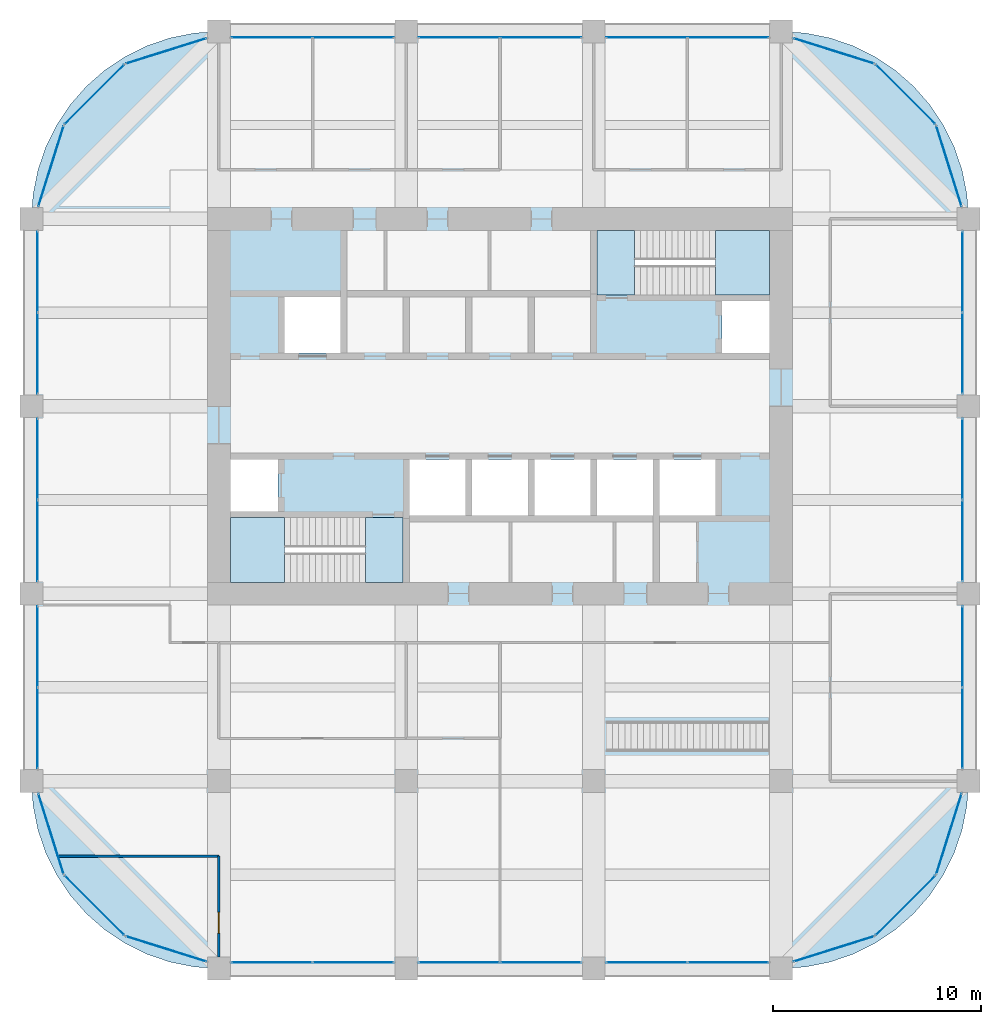
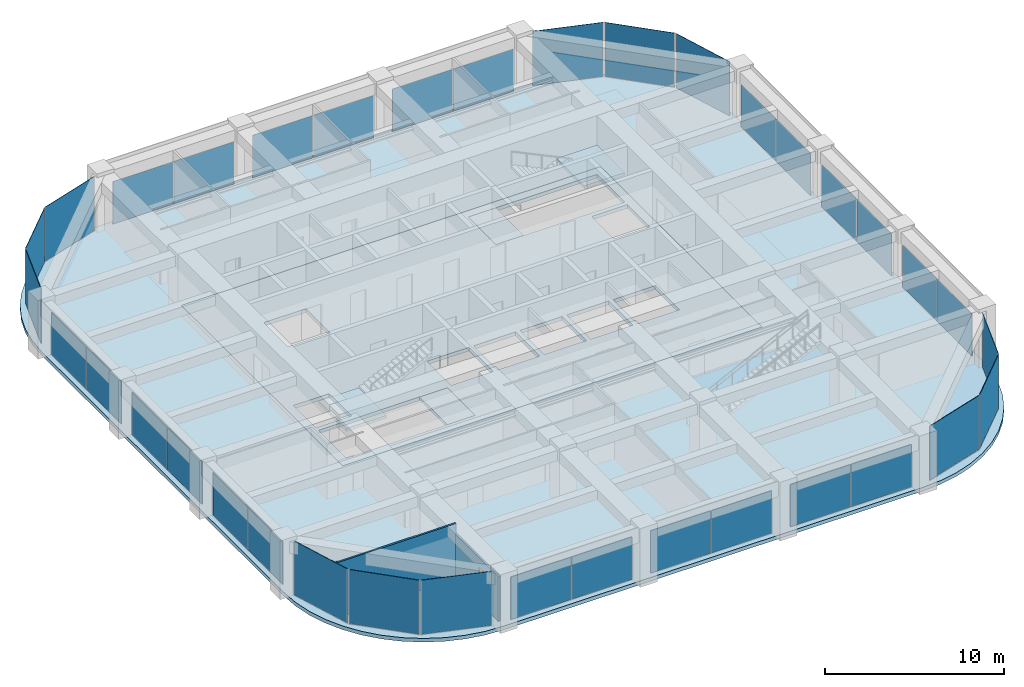
# One storey, part 40 of 44: 36 plates, 6 slabs, 2 walls, 1 door, 1 opening, 26 elements without a shape of their own.
"""IFC4 building model written with IfcOpenShell, lengths in metres."""

from ifc_helpers import new_model, si_unit, direction, frame, frame_2d, origin, origin_2d, place, context, subcontext, project, spatial, polyline, rectangle, outline, extrude, material, layer, layer_set, type_object, element, fill, aggregate, save


model = new_model("IFC4")

# Units and contexts
model_context = context("Model", 3, precision=1e-05, world=origin(), true_north=direction((0.0, 1.0)))
body_context = subcontext(model_context, "Body", "Model", "MODEL_VIEW")
ifc_project = project(units=[si_unit("LENGTHUNIT", "METRE"), si_unit("AREAUNIT", "SQUARE_METRE"), si_unit("VOLUMEUNIT", "CUBIC_METRE"), si_unit("PLANEANGLEUNIT", "RADIAN"), si_unit("MASSUNIT", "GRAM", prefix="KILO")], contexts=[model_context])

# Site, building, storey
site_placement = place(None, origin())
site = spatial("IfcSite", under=ifc_project, at=site_placement, CompositionType="ELEMENT")
building_placement = place(site_placement, origin())
building = spatial("IfcBuilding", under=site, at=building_placement, Name="Zorevar Civic Tower", CompositionType="ELEMENT")
storey_placement = place(building_placement, frame((0.0, 0.0, 251.39990234375)))
storey = spatial("IfcBuildingStorey", under=building, at=storey_placement, Name="L61", CompositionType="ELEMENT", Elevation=251.39990234375)

# Curtain wall, plates
ifc_material_1 = material(Name="Dark grey solar-control glass in black aluminium frame", Category="aluminium")
curtain_wall_type = type_object("IfcCurtainWallType", Name="Curtain wall CW5 top zone", PredefinedType="NOTDEFINED", material=ifc_material_1)
curtain_wall_1_placement = place(storey_placement, origin())
curtain_wall_1 = element("IfcCurtainWall", 1, at=curtain_wall_1_placement, inside=storey, type_object=curtain_wall_type, Name="CW5 L61", PredefinedType="NOTDEFINED")
ifc_material_2 = material(Name="Dark grey solar-control glass", Category="glass")
ifc_layer_1 = layer(ifc_material_2, 0.028076171875)
ifc_layer_set_1 = layer_set([ifc_layer_1], Name="CW5 panel 28")
plate_type = type_object("IfcPlateType", Name="CW5 panel 28", PredefinedType="CURTAIN_PANEL", material=ifc_layer_set_1)
plate_1_placement = place(storey_placement, frame((20.5400390625, 0.300048828125, 0.06005859375), z_axis=(0.0, 0.0, 1.0), x_axis=(1.0, 0.0, 0.0)))
plate_1 = element("IfcPlate", 2, at=plate_1_placement, type_object=plate_type, Name="CW5 panel 1.1", PredefinedType="CURTAIN_PANEL", context=body_context, shape_type="SweptSolid", body=[
    extrude(rectangle(XDim=3.860107421875, YDim=0.028076171875, at=origin_2d()), origin(), (0.0, 0.0, 1.0), 2.889892578125),
])
plate_2_placement = place(storey_placement, frame((24.4599609375, 0.300048828125, 0.06005859375), z_axis=(0.0, 0.0, 1.0), x_axis=(1.0, 0.0, 0.0)))
plate_2 = element("IfcPlate", 3, at=plate_2_placement, type_object=plate_type, Name="CW5 panel 2.1", PredefinedType="CURTAIN_PANEL", context=body_context, shape_type="SweptSolid", body=[
    extrude(rectangle(XDim=3.860107421875, YDim=0.028076171875, at=origin_2d()), origin(), (0.0, 0.0, 1.0), 2.889892578125),
])
aggregate(curtain_wall_1, [plate_1, plate_2])

curtain_wall_2_placement = place(storey_placement, origin())
curtain_wall_2 = element("IfcCurtainWall", 4, at=curtain_wall_2_placement, inside=storey, type_object=curtain_wall_type, Name="CW5 L61", PredefinedType="NOTDEFINED")
plate_3_placement = place(storey_placement, frame((20.5400390625, 44.699951171875, 0.06005859375), z_axis=(0.0, 0.0, 1.0), x_axis=(1.0, 0.0, 0.0)))
plate_3 = element("IfcPlate", 5, at=plate_3_placement, type_object=plate_type, Name="CW5 panel 1.1", PredefinedType="CURTAIN_PANEL", context=body_context, shape_type="SweptSolid", body=[
    extrude(rectangle(XDim=3.860107421875, YDim=0.028076171875, at=origin_2d()), origin(), (0.0, 0.0, 1.0), 2.889892578125),
])
plate_4_placement = place(storey_placement, frame((24.4599609375, 44.699951171875, 0.06005859375), z_axis=(0.0, 0.0, 1.0), x_axis=(1.0, 0.0, 0.0)))
plate_4 = element("IfcPlate", 6, at=plate_4_placement, type_object=plate_type, Name="CW5 panel 2.1", PredefinedType="CURTAIN_PANEL", context=body_context, shape_type="SweptSolid", body=[
    extrude(rectangle(XDim=3.860107421875, YDim=0.028076171875, at=origin_2d()), origin(), (0.0, 0.0, 1.0), 2.889892578125),
])
aggregate(curtain_wall_2, [plate_3, plate_4])

curtain_wall_3_placement = place(storey_placement, origin())
curtain_wall_3 = element("IfcCurtainWall", 7, at=curtain_wall_3_placement, inside=storey, type_object=curtain_wall_type, Name="CW5 L61", PredefinedType="NOTDEFINED")
plate_5_placement = place(storey_placement, frame((29.5400390625, 0.300048828125, 0.06005859375), z_axis=(0.0, 0.0, 1.0), x_axis=(1.0, 0.0, 0.0)))
plate_5 = element("IfcPlate", 8, at=plate_5_placement, type_object=plate_type, Name="CW5 panel 1.1", PredefinedType="CURTAIN_PANEL", context=body_context, shape_type="SweptSolid", body=[
    extrude(rectangle(XDim=3.860107421875, YDim=0.028076171875, at=origin_2d()), origin(), (0.0, 0.0, 1.0), 2.889892578125),
])
plate_6_placement = place(storey_placement, frame((33.4599609375, 0.300048828125, 0.06005859375), z_axis=(0.0, 0.0, 1.0), x_axis=(1.0, 0.0, 0.0)))
plate_6 = element("IfcPlate", 9, at=plate_6_placement, type_object=plate_type, Name="CW5 panel 2.1", PredefinedType="CURTAIN_PANEL", context=body_context, shape_type="SweptSolid", body=[
    extrude(rectangle(XDim=3.860107421875, YDim=0.028076171875, at=origin_2d()), origin(), (0.0, 0.0, 1.0), 2.889892578125),
])
aggregate(curtain_wall_3, [plate_5, plate_6])

curtain_wall_4_placement = place(storey_placement, origin())
curtain_wall_4 = element("IfcCurtainWall", 10, at=curtain_wall_4_placement, inside=storey, type_object=curtain_wall_type, Name="CW5 L61", PredefinedType="NOTDEFINED")
plate_7_placement = place(storey_placement, frame((29.5400390625, 44.699951171875, 0.06005859375), z_axis=(0.0, 0.0, 1.0), x_axis=(1.0, 0.0, 0.0)))
plate_7 = element("IfcPlate", 11, at=plate_7_placement, type_object=plate_type, Name="CW5 panel 1.1", PredefinedType="CURTAIN_PANEL", context=body_context, shape_type="SweptSolid", body=[
    extrude(rectangle(XDim=3.860107421875, YDim=0.028076171875, at=origin_2d()), origin(), (0.0, 0.0, 1.0), 2.889892578125),
])
plate_8_placement = place(storey_placement, frame((33.4599609375, 44.699951171875, 0.06005859375), z_axis=(0.0, 0.0, 1.0), x_axis=(1.0, 0.0, 0.0)))
plate_8 = element("IfcPlate", 12, at=plate_8_placement, type_object=plate_type, Name="CW5 panel 2.1", PredefinedType="CURTAIN_PANEL", context=body_context, shape_type="SweptSolid", body=[
    extrude(rectangle(XDim=3.860107421875, YDim=0.028076171875, at=origin_2d()), origin(), (0.0, 0.0, 1.0), 2.889892578125),
])
aggregate(curtain_wall_4, [plate_7, plate_8])

curtain_wall_5_placement = place(storey_placement, origin())
curtain_wall_5 = element("IfcCurtainWall", 13, at=curtain_wall_5_placement, inside=storey, type_object=curtain_wall_type, Name="CW5 L61", PredefinedType="NOTDEFINED")
plate_9_placement = place(storey_placement, frame((38.5400390625, 0.300048828125, 0.06005859375), z_axis=(0.0, 0.0, 1.0), x_axis=(1.0, 0.0, 0.0)))
plate_9 = element("IfcPlate", 14, at=plate_9_placement, type_object=plate_type, Name="CW5 panel 1.1", PredefinedType="CURTAIN_PANEL", context=body_context, shape_type="SweptSolid", body=[
    extrude(rectangle(XDim=3.860107421875, YDim=0.028076171875, at=origin_2d()), origin(), (0.0, 0.0, 1.0), 2.889892578125),
])
plate_10_placement = place(storey_placement, frame((42.4599609375, 0.300048828125, 0.06005859375), z_axis=(0.0, 0.0, 1.0), x_axis=(1.0, 0.0, 0.0)))
plate_10 = element("IfcPlate", 15, at=plate_10_placement, type_object=plate_type, Name="CW5 panel 2.1", PredefinedType="CURTAIN_PANEL", context=body_context, shape_type="SweptSolid", body=[
    extrude(rectangle(XDim=3.860107421875, YDim=0.028076171875, at=origin_2d()), origin(), (0.0, 0.0, 1.0), 2.889892578125),
])
aggregate(curtain_wall_5, [plate_9, plate_10])

curtain_wall_6_placement = place(storey_placement, origin())
curtain_wall_6 = element("IfcCurtainWall", 16, at=curtain_wall_6_placement, inside=storey, type_object=curtain_wall_type, Name="CW5 L61", PredefinedType="NOTDEFINED")
plate_11_placement = place(storey_placement, frame((38.5400390625, 44.699951171875, 0.06005859375), z_axis=(0.0, 0.0, 1.0), x_axis=(1.0, 0.0, 0.0)))
plate_11 = element("IfcPlate", 17, at=plate_11_placement, type_object=plate_type, Name="CW5 panel 1.1", PredefinedType="CURTAIN_PANEL", context=body_context, shape_type="SweptSolid", body=[
    extrude(rectangle(XDim=3.860107421875, YDim=0.028076171875, at=origin_2d()), origin(), (0.0, 0.0, 1.0), 2.889892578125),
])
plate_12_placement = place(storey_placement, frame((42.4599609375, 44.699951171875, 0.06005859375), z_axis=(0.0, 0.0, 1.0), x_axis=(1.0, 0.0, 0.0)))
plate_12 = element("IfcPlate", 18, at=plate_12_placement, type_object=plate_type, Name="CW5 panel 2.1", PredefinedType="CURTAIN_PANEL", context=body_context, shape_type="SweptSolid", body=[
    extrude(rectangle(XDim=3.860107421875, YDim=0.028076171875, at=origin_2d()), origin(), (0.0, 0.0, 1.0), 2.889892578125),
])
aggregate(curtain_wall_6, [plate_11, plate_12])

curtain_wall_7_placement = place(storey_placement, origin())
curtain_wall_7 = element("IfcCurtainWall", 19, at=curtain_wall_7_placement, inside=storey, type_object=curtain_wall_type, Name="CW5 L61", PredefinedType="NOTDEFINED")
plate_13_placement = place(storey_placement, frame((9.300048828125, 11.5400390625, 0.06005859375), z_axis=(0.0, 0.0, 1.0), x_axis=(0.0, 1.0, 0.0)))
plate_13 = element("IfcPlate", 20, at=plate_13_placement, type_object=plate_type, Name="CW5 panel 1.1", PredefinedType="CURTAIN_PANEL", context=body_context, shape_type="SweptSolid", body=[
    extrude(rectangle(XDim=3.860107421875, YDim=0.028076171875, at=origin_2d()), origin(), (0.0, 0.0, 1.0), 2.889892578125),
])
plate_14_placement = place(storey_placement, frame((9.300048828125, 15.4599609375, 0.06005859375), z_axis=(0.0, 0.0, 1.0), x_axis=(0.0, 1.0, 0.0)))
plate_14 = element("IfcPlate", 21, at=plate_14_placement, type_object=plate_type, Name="CW5 panel 2.1", PredefinedType="CURTAIN_PANEL", context=body_context, shape_type="SweptSolid", body=[
    extrude(rectangle(XDim=3.860107421875, YDim=0.028076171875, at=origin_2d()), origin(), (0.0, 0.0, 1.0), 2.889892578125),
])
aggregate(curtain_wall_7, [plate_13, plate_14])

curtain_wall_8_placement = place(storey_placement, origin())
curtain_wall_8 = element("IfcCurtainWall", 22, at=curtain_wall_8_placement, inside=storey, type_object=curtain_wall_type, Name="CW5 L61", PredefinedType="NOTDEFINED")
plate_15_placement = place(storey_placement, frame((53.699951171875, 11.5400390625, 0.06005859375), z_axis=(0.0, 0.0, 1.0), x_axis=(0.0, 1.0, 0.0)))
plate_15 = element("IfcPlate", 23, at=plate_15_placement, type_object=plate_type, Name="CW5 panel 1.1", PredefinedType="CURTAIN_PANEL", context=body_context, shape_type="SweptSolid", body=[
    extrude(rectangle(XDim=3.860107421875, YDim=0.028076171875, at=origin_2d()), origin(), (0.0, 0.0, 1.0), 2.889892578125),
])
plate_16_placement = place(storey_placement, frame((53.699951171875, 15.4599609375, 0.06005859375), z_axis=(0.0, 0.0, 1.0), x_axis=(0.0, 1.0, 0.0)))
plate_16 = element("IfcPlate", 24, at=plate_16_placement, type_object=plate_type, Name="CW5 panel 2.1", PredefinedType="CURTAIN_PANEL", context=body_context, shape_type="SweptSolid", body=[
    extrude(rectangle(XDim=3.860107421875, YDim=0.028076171875, at=origin_2d()), origin(), (0.0, 0.0, 1.0), 2.889892578125),
])
aggregate(curtain_wall_8, [plate_15, plate_16])

curtain_wall_9_placement = place(storey_placement, origin())
curtain_wall_9 = element("IfcCurtainWall", 25, at=curtain_wall_9_placement, inside=storey, type_object=curtain_wall_type, Name="CW5 L61", PredefinedType="NOTDEFINED")
plate_17_placement = place(storey_placement, frame((9.300048828125, 20.5400390625, 0.06005859375), z_axis=(0.0, 0.0, 1.0), x_axis=(0.0, 1.0, 0.0)))
plate_17 = element("IfcPlate", 26, at=plate_17_placement, type_object=plate_type, Name="CW5 panel 1.1", PredefinedType="CURTAIN_PANEL", context=body_context, shape_type="SweptSolid", body=[
    extrude(rectangle(XDim=3.860107421875, YDim=0.028076171875, at=origin_2d()), origin(), (0.0, 0.0, 1.0), 2.889892578125),
])
plate_18_placement = place(storey_placement, frame((9.300048828125, 24.4599609375, 0.06005859375), z_axis=(0.0, 0.0, 1.0), x_axis=(0.0, 1.0, 0.0)))
plate_18 = element("IfcPlate", 27, at=plate_18_placement, type_object=plate_type, Name="CW5 panel 2.1", PredefinedType="CURTAIN_PANEL", context=body_context, shape_type="SweptSolid", body=[
    extrude(rectangle(XDim=3.860107421875, YDim=0.028076171875, at=origin_2d()), origin(), (0.0, 0.0, 1.0), 2.889892578125),
])
aggregate(curtain_wall_9, [plate_17, plate_18])

curtain_wall_10_placement = place(storey_placement, origin())
curtain_wall_10 = element("IfcCurtainWall", 28, at=curtain_wall_10_placement, inside=storey, type_object=curtain_wall_type, Name="CW5 L61", PredefinedType="NOTDEFINED")
plate_19_placement = place(storey_placement, frame((53.699951171875, 20.5400390625, 0.06005859375), z_axis=(0.0, 0.0, 1.0), x_axis=(0.0, 1.0, 0.0)))
plate_19 = element("IfcPlate", 29, at=plate_19_placement, type_object=plate_type, Name="CW5 panel 1.1", PredefinedType="CURTAIN_PANEL", context=body_context, shape_type="SweptSolid", body=[
    extrude(rectangle(XDim=3.860107421875, YDim=0.028076171875, at=origin_2d()), origin(), (0.0, 0.0, 1.0), 2.889892578125),
])
plate_20_placement = place(storey_placement, frame((53.699951171875, 24.4599609375, 0.06005859375), z_axis=(0.0, 0.0, 1.0), x_axis=(0.0, 1.0, 0.0)))
plate_20 = element("IfcPlate", 30, at=plate_20_placement, type_object=plate_type, Name="CW5 panel 2.1", PredefinedType="CURTAIN_PANEL", context=body_context, shape_type="SweptSolid", body=[
    extrude(rectangle(XDim=3.860107421875, YDim=0.028076171875, at=origin_2d()), origin(), (0.0, 0.0, 1.0), 2.889892578125),
])
aggregate(curtain_wall_10, [plate_19, plate_20])

curtain_wall_11_placement = place(storey_placement, origin())
curtain_wall_11 = element("IfcCurtainWall", 31, at=curtain_wall_11_placement, inside=storey, type_object=curtain_wall_type, Name="CW5 L61", PredefinedType="NOTDEFINED")
plate_21_placement = place(storey_placement, frame((9.300048828125, 29.5400390625, 0.06005859375), z_axis=(0.0, 0.0, 1.0), x_axis=(0.0, 1.0, 0.0)))
plate_21 = element("IfcPlate", 32, at=plate_21_placement, type_object=plate_type, Name="CW5 panel 1.1", PredefinedType="CURTAIN_PANEL", context=body_context, shape_type="SweptSolid", body=[
    extrude(rectangle(XDim=3.860107421875, YDim=0.028076171875, at=origin_2d()), origin(), (0.0, 0.0, 1.0), 2.889892578125),
])
plate_22_placement = place(storey_placement, frame((9.300048828125, 33.4599609375, 0.06005859375), z_axis=(0.0, 0.0, 1.0), x_axis=(0.0, 1.0, 0.0)))
plate_22 = element("IfcPlate", 33, at=plate_22_placement, type_object=plate_type, Name="CW5 panel 2.1", PredefinedType="CURTAIN_PANEL", context=body_context, shape_type="SweptSolid", body=[
    extrude(rectangle(XDim=3.860107421875, YDim=0.028076171875, at=origin_2d()), origin(), (0.0, 0.0, 1.0), 2.889892578125),
])
aggregate(curtain_wall_11, [plate_21, plate_22])

curtain_wall_12_placement = place(storey_placement, origin())
curtain_wall_12 = element("IfcCurtainWall", 34, at=curtain_wall_12_placement, inside=storey, type_object=curtain_wall_type, Name="CW5 L61", PredefinedType="NOTDEFINED")
plate_23_placement = place(storey_placement, frame((53.699951171875, 29.5400390625, 0.06005859375), z_axis=(0.0, 0.0, 1.0), x_axis=(0.0, 1.0, 0.0)))
plate_23 = element("IfcPlate", 35, at=plate_23_placement, type_object=plate_type, Name="CW5 panel 1.1", PredefinedType="CURTAIN_PANEL", context=body_context, shape_type="SweptSolid", body=[
    extrude(rectangle(XDim=3.860107421875, YDim=0.028076171875, at=origin_2d()), origin(), (0.0, 0.0, 1.0), 2.889892578125),
])
plate_24_placement = place(storey_placement, frame((53.699951171875, 33.4599609375, 0.06005859375), z_axis=(0.0, 0.0, 1.0), x_axis=(0.0, 1.0, 0.0)))
plate_24 = element("IfcPlate", 36, at=plate_24_placement, type_object=plate_type, Name="CW5 panel 2.1", PredefinedType="CURTAIN_PANEL", context=body_context, shape_type="SweptSolid", body=[
    extrude(rectangle(XDim=3.860107421875, YDim=0.028076171875, at=origin_2d()), origin(), (0.0, 0.0, 1.0), 2.889892578125),
])
aggregate(curtain_wall_12, [plate_23, plate_24])

# Curtain wall, plate
curtain_wall_13_placement = place(storey_placement, origin())
curtain_wall_13 = element("IfcCurtainWall", 37, at=curtain_wall_13_placement, inside=storey, type_object=curtain_wall_type, Name="CW5 L61", PredefinedType="NOTDEFINED")
plate_25_placement = place(storey_placement, frame((47.52880859375, 0.938232421875, 0.06005859375), z_axis=(0.0, 0.0, 1.0), x_axis=(0.954153437674, 0.299317920238, 0.0)))
plate_25 = element("IfcPlate", 38, at=plate_25_placement, type_object=plate_type, Name="CW5 panel 1.1", PredefinedType="CURTAIN_PANEL", context=body_context, shape_type="SweptSolid", body=[
    extrude(rectangle(XDim=4.028076171875, YDim=0.028076171875, at=origin_2d()), origin(), (0.0, 0.0, 1.0), 3.68994140625),
])
aggregate(curtain_wall_13, [plate_25])

curtain_wall_14_placement = place(storey_placement, origin())
curtain_wall_14 = element("IfcCurtainWall", 39, at=curtain_wall_14_placement, inside=storey, type_object=curtain_wall_type, Name="CW5 L61", PredefinedType="NOTDEFINED")
plate_26_placement = place(storey_placement, frame((50.974365234375, 3.025634765625, 0.06005859375), z_axis=(0.0, 0.0, 1.0), x_axis=(0.707106781187, 0.707106781187, 0.0)))
plate_26 = element("IfcPlate", 40, at=plate_26_placement, type_object=plate_type, Name="CW5 panel 1.1", PredefinedType="CURTAIN_PANEL", context=body_context, shape_type="SweptSolid", body=[
    extrude(rectangle(XDim=4.028076171875, YDim=0.028076171875, at=origin_2d()), origin(), (0.0, 0.0, 1.0), 3.68994140625),
])
aggregate(curtain_wall_14, [plate_26])

curtain_wall_15_placement = place(storey_placement, origin())
curtain_wall_15 = element("IfcCurtainWall", 41, at=curtain_wall_15_placement, inside=storey, type_object=curtain_wall_type, Name="CW5 L61", PredefinedType="NOTDEFINED")
plate_27_placement = place(storey_placement, frame((53.061767578125, 6.47119140625, 0.06005859375), z_axis=(0.0, 0.0, 1.0), x_axis=(0.299317920238, 0.954153437674, 0.0)))
plate_27 = element("IfcPlate", 42, at=plate_27_placement, type_object=plate_type, Name="CW5 panel 1.1", PredefinedType="CURTAIN_PANEL", context=body_context, shape_type="SweptSolid", body=[
    extrude(rectangle(XDim=4.028076171875, YDim=0.028076171875, at=origin_2d()), origin(), (0.0, 0.0, 1.0), 3.68994140625),
])
aggregate(curtain_wall_15, [plate_27])

curtain_wall_16_placement = place(storey_placement, origin())
curtain_wall_16 = element("IfcCurtainWall", 43, at=curtain_wall_16_placement, inside=storey, type_object=curtain_wall_type, Name="CW5 L61", PredefinedType="NOTDEFINED")
plate_28_placement = place(storey_placement, frame((53.061767578125, 38.52880859375, 0.06005859375), z_axis=(0.0, 0.0, 1.0), x_axis=(-0.299317920238, 0.954153437674, 0.0)))
plate_28 = element("IfcPlate", 44, at=plate_28_placement, type_object=plate_type, Name="CW5 panel 1.1", PredefinedType="CURTAIN_PANEL", context=body_context, shape_type="SweptSolid", body=[
    extrude(rectangle(XDim=4.028076171875, YDim=0.028076171875, at=origin_2d()), origin(), (0.0, 0.0, 1.0), 3.68994140625),
])
aggregate(curtain_wall_16, [plate_28])

curtain_wall_17_placement = place(storey_placement, origin())
curtain_wall_17 = element("IfcCurtainWall", 45, at=curtain_wall_17_placement, inside=storey, type_object=curtain_wall_type, Name="CW5 L61", PredefinedType="NOTDEFINED")
plate_29_placement = place(storey_placement, frame((50.974365234375, 41.974365234375, 0.06005859375), z_axis=(0.0, 0.0, 1.0), x_axis=(-0.707106781187, 0.707106781187, 0.0)))
plate_29 = element("IfcPlate", 46, at=plate_29_placement, type_object=plate_type, Name="CW5 panel 1.1", PredefinedType="CURTAIN_PANEL", context=body_context, shape_type="SweptSolid", body=[
    extrude(rectangle(XDim=4.028076171875, YDim=0.028076171875, at=origin_2d()), origin(), (0.0, 0.0, 1.0), 3.68994140625),
])
aggregate(curtain_wall_17, [plate_29])

curtain_wall_18_placement = place(storey_placement, origin())
curtain_wall_18 = element("IfcCurtainWall", 47, at=curtain_wall_18_placement, inside=storey, type_object=curtain_wall_type, Name="CW5 L61", PredefinedType="NOTDEFINED")
plate_30_placement = place(storey_placement, frame((47.52880859375, 44.061767578125, 0.06005859375), z_axis=(0.0, 0.0, 1.0), x_axis=(-0.954153437674, 0.299317920238, 0.0)))
plate_30 = element("IfcPlate", 48, at=plate_30_placement, type_object=plate_type, Name="CW5 panel 1.1", PredefinedType="CURTAIN_PANEL", context=body_context, shape_type="SweptSolid", body=[
    extrude(rectangle(XDim=4.028076171875, YDim=0.028076171875, at=origin_2d()), origin(), (0.0, 0.0, 1.0), 3.68994140625),
])
aggregate(curtain_wall_18, [plate_30])

curtain_wall_19_placement = place(storey_placement, origin())
curtain_wall_19 = element("IfcCurtainWall", 49, at=curtain_wall_19_placement, inside=storey, type_object=curtain_wall_type, Name="CW5 L61", PredefinedType="NOTDEFINED")
plate_31_placement = place(storey_placement, frame((15.47119140625, 44.061767578125, 0.06005859375), z_axis=(0.0, 0.0, 1.0), x_axis=(-0.954153437674, -0.299317920238, 0.0)))
plate_31 = element("IfcPlate", 50, at=plate_31_placement, type_object=plate_type, Name="CW5 panel 1.1", PredefinedType="CURTAIN_PANEL", context=body_context, shape_type="SweptSolid", body=[
    extrude(rectangle(XDim=4.028076171875, YDim=0.028076171875, at=origin_2d()), origin(), (0.0, 0.0, 1.0), 3.68994140625),
])
aggregate(curtain_wall_19, [plate_31])

curtain_wall_20_placement = place(storey_placement, origin())
curtain_wall_20 = element("IfcCurtainWall", 51, at=curtain_wall_20_placement, inside=storey, type_object=curtain_wall_type, Name="CW5 L61", PredefinedType="NOTDEFINED")
plate_32_placement = place(storey_placement, frame((12.025634765625, 41.974365234375, 0.06005859375), z_axis=(0.0, 0.0, 1.0), x_axis=(-0.707106781187, -0.707106781187, 0.0)))
plate_32 = element("IfcPlate", 52, at=plate_32_placement, type_object=plate_type, Name="CW5 panel 1.1", PredefinedType="CURTAIN_PANEL", context=body_context, shape_type="SweptSolid", body=[
    extrude(rectangle(XDim=4.028076171875, YDim=0.028076171875, at=origin_2d()), origin(), (0.0, 0.0, 1.0), 3.68994140625),
])
aggregate(curtain_wall_20, [plate_32])

curtain_wall_21_placement = place(storey_placement, origin())
curtain_wall_21 = element("IfcCurtainWall", 53, at=curtain_wall_21_placement, inside=storey, type_object=curtain_wall_type, Name="CW5 L61", PredefinedType="NOTDEFINED")
plate_33_placement = place(storey_placement, frame((9.938232421875, 38.52880859375, 0.06005859375), z_axis=(0.0, 0.0, 1.0), x_axis=(-0.299317920238, -0.954153437674, 0.0)))
plate_33 = element("IfcPlate", 54, at=plate_33_placement, type_object=plate_type, Name="CW5 panel 1.1", PredefinedType="CURTAIN_PANEL", context=body_context, shape_type="SweptSolid", body=[
    extrude(rectangle(XDim=4.028076171875, YDim=0.028076171875, at=origin_2d()), origin(), (0.0, 0.0, 1.0), 3.68994140625),
])
aggregate(curtain_wall_21, [plate_33])

curtain_wall_22_placement = place(storey_placement, origin())
curtain_wall_22 = element("IfcCurtainWall", 55, at=curtain_wall_22_placement, inside=storey, type_object=curtain_wall_type, Name="CW5 L61", PredefinedType="NOTDEFINED")
plate_34_placement = place(storey_placement, frame((9.938232421875, 6.47119140625, 0.06005859375), z_axis=(0.0, 0.0, 1.0), x_axis=(0.299317920238, -0.954153437674, 0.0)))
plate_34 = element("IfcPlate", 56, at=plate_34_placement, type_object=plate_type, Name="CW5 panel 1.1", PredefinedType="CURTAIN_PANEL", context=body_context, shape_type="SweptSolid", body=[
    extrude(rectangle(XDim=4.028076171875, YDim=0.028076171875, at=origin_2d()), origin(), (0.0, 0.0, 1.0), 3.68994140625),
])
aggregate(curtain_wall_22, [plate_34])

curtain_wall_23_placement = place(storey_placement, origin())
curtain_wall_23 = element("IfcCurtainWall", 57, at=curtain_wall_23_placement, inside=storey, type_object=curtain_wall_type, Name="CW5 L61", PredefinedType="NOTDEFINED")
plate_35_placement = place(storey_placement, frame((12.025634765625, 3.025634765625, 0.06005859375), z_axis=(0.0, 0.0, 1.0), x_axis=(0.707106781187, -0.707106781187, 0.0)))
plate_35 = element("IfcPlate", 58, at=plate_35_placement, type_object=plate_type, Name="CW5 panel 1.1", PredefinedType="CURTAIN_PANEL", context=body_context, shape_type="SweptSolid", body=[
    extrude(rectangle(XDim=4.028076171875, YDim=0.028076171875, at=origin_2d()), origin(), (0.0, 0.0, 1.0), 3.68994140625),
])
aggregate(curtain_wall_23, [plate_35])

curtain_wall_24_placement = place(storey_placement, origin())
curtain_wall_24 = element("IfcCurtainWall", 59, at=curtain_wall_24_placement, inside=storey, type_object=curtain_wall_type, Name="CW5 L61", PredefinedType="NOTDEFINED")
plate_36_placement = place(storey_placement, frame((15.47119140625, 0.938232421875, 0.06005859375), z_axis=(0.0, 0.0, 1.0), x_axis=(0.954153437674, -0.299317920238, 0.0)))
plate_36 = element("IfcPlate", 60, at=plate_36_placement, type_object=plate_type, Name="CW5 panel 1.1", PredefinedType="CURTAIN_PANEL", context=body_context, shape_type="SweptSolid", body=[
    extrude(rectangle(XDim=4.028076171875, YDim=0.028076171875, at=origin_2d()), origin(), (0.0, 0.0, 1.0), 3.68994140625),
])
aggregate(curtain_wall_24, [plate_36])

# Slabs
ifc_material_3 = material(Name="Concrete C40/50", Category="concrete")
ifc_layer_2 = layer(ifc_material_3, 0.25)
ifc_layer_set_2 = layer_set([ifc_layer_2], Name="Floor slab 250")
slab_type_1 = type_object("IfcSlabType", Name="Floor slab 250", PredefinedType="FLOOR", material=ifc_layer_set_2)
slab_1_placement = place(storey_placement, frame((0.0, 0.0, -0.25)))
element("IfcSlab", 61, at=slab_1_placement, inside=storey, type_object=slab_type_1, Name="Floor slab L61", PredefinedType="FLOOR", context=body_context, shape_type="SweptSolid", body=[
    extrude(outline(polyline([(45.0, 0.0), (46.1748046875, 0.076904296875), (47.329345703125, 0.306640625), (48.444091796875, 0.68505859375), (49.5, 1.205810546875), (50.478759765625, 1.85986328125), (51.364013671875, 2.635986328125), (52.14013671875, 3.521240234375), (52.794189453125, 4.5), (53.31494140625, 5.555908203125), (53.693359375, 6.670654296875), (53.923095703125, 7.8251953125), (54.0, 9.0), (54.0, 36.0), (53.923095703125, 37.1748046875), (53.693359375, 38.329345703125), (53.31494140625, 39.444091796875), (52.794189453125, 40.5), (52.14013671875, 41.478759765625), (51.364013671875, 42.364013671875), (50.478759765625, 43.14013671875), (49.5, 43.794189453125), (48.444091796875, 44.31494140625), (47.329345703125, 44.693359375), (46.1748046875, 44.923095703125), (45.0, 45.0), (18.0, 45.0), (16.8251953125, 44.923095703125), (15.670654296875, 44.693359375), (14.555908203125, 44.31494140625), (13.5, 43.794189453125), (12.521240234375, 43.14013671875), (11.635986328125, 42.364013671875), (10.85986328125, 41.478759765625), (10.205810546875, 40.5), (9.68505859375, 39.444091796875), (9.306640625, 38.329345703125), (9.076904296875, 37.1748046875), (9.0, 36.0), (9.0, 9.0), (9.076904296875, 7.8251953125), (9.306640625, 6.670654296875), (9.68505859375, 5.555908203125), (10.205810546875, 4.5), (10.85986328125, 3.521240234375), (11.635986328125, 2.635986328125), (12.521240234375, 1.85986328125), (13.5, 1.205810546875), (14.555908203125, 0.68505859375), (15.670654296875, 0.306640625), (16.8251953125, 0.076904296875), (18.0, 0.0), (45.0, 0.0)]), holes=[polyline([(18.0, 18.0), (45.0, 18.0), (45.0, 36.0), (18.0, 36.0), (18.0, 18.0)])]), origin(), (0.0, 0.0, 1.0), 0.25),
])
slab_2_placement = place(storey_placement, frame((0.0, 0.0, -0.25)))
element("IfcSlab", 62, at=slab_2_placement, inside=storey, type_object=slab_type_1, Name="Core floor L61", PredefinedType="FLOOR", context=body_context, shape_type="SweptSolid", body=[
    extrude(outline(polyline([(18.0, 18.0), (45.0, 18.0), (45.0, 36.0), (18.0, 36.0), (18.0, 18.0)]), holes=[polyline([(18.550048828125, 18.550048828125), (26.85009765625, 18.550048828125), (26.85009765625, 21.64990234375), (18.550048828125, 21.64990234375), (18.550048828125, 18.550048828125)]), polyline([(36.14990234375, 32.35009765625), (44.449951171875, 32.35009765625), (44.449951171875, 35.449951171875), (36.14990234375, 35.449951171875), (36.14990234375, 32.35009765625)]), polyline([(18.550048828125, 21.949951171875), (20.85009765625, 21.949951171875), (20.85009765625, 24.449951171875), (18.550048828125, 24.449951171875), (18.550048828125, 21.949951171875)]), polyline([(42.14990234375, 29.550048828125), (44.449951171875, 29.550048828125), (44.449951171875, 32.050048828125), (42.14990234375, 32.050048828125), (42.14990234375, 29.550048828125)]), polyline([(27.14990234375, 21.75), (29.85009765625, 21.75), (29.85009765625, 24.449951171875), (27.14990234375, 24.449951171875), (27.14990234375, 21.75)]), polyline([(30.14990234375, 21.75), (32.85009765625, 21.75), (32.85009765625, 24.449951171875), (30.14990234375, 24.449951171875), (30.14990234375, 21.75)]), polyline([(33.14990234375, 21.75), (35.85009765625, 21.75), (35.85009765625, 24.449951171875), (33.14990234375, 24.449951171875), (33.14990234375, 21.75)]), polyline([(36.14990234375, 21.75), (38.85009765625, 21.75), (38.85009765625, 24.449951171875), (36.14990234375, 24.449951171875), (36.14990234375, 21.75)]), polyline([(39.14990234375, 21.75), (41.85009765625, 21.75), (41.85009765625, 24.449951171875), (39.14990234375, 24.449951171875), (39.14990234375, 21.75)]), polyline([(21.14990234375, 29.550048828125), (23.85009765625, 29.550048828125), (23.85009765625, 32.25), (21.14990234375, 32.25), (21.14990234375, 29.550048828125)])]), origin(), (0.0, 0.0, 1.0), 0.25),
])

# Stair, slabs
ifc_material_4 = material(Name="Precast concrete C40/50", Category="concrete")
stair_type = type_object("IfcStairType", Name="Stair ST 28R", PredefinedType="HALF_TURN_STAIR", material=ifc_material_4)
stair_1_placement = place(storey_placement, origin())
stair_1 = element("IfcStair", 63, at=stair_1_placement, inside=storey, type_object=stair_type, Name="Stair ST1 L61", PredefinedType="HALF_TURN_STAIR")
ifc_material_5 = material(Name="Concrete C40/50", Category="concrete")
ifc_layer_3 = layer(ifc_material_5, 0.199951171875)
ifc_layer_set_3 = layer_set([ifc_layer_3], Name="Stair landing 200")
slab_type_2 = type_object("IfcSlabType", Name="Stair landing 200", PredefinedType="LANDING", material=ifc_layer_set_3)
slab_3_placement = place(storey_placement, frame((0.0, 0.0, -0.199951171875)))
slab_3 = element("IfcSlab", 64, at=slab_3_placement, type_object=slab_type_2, Name="ST1 landing 1", PredefinedType="LANDING", context=body_context, shape_type="SweptSolid", body=[
    extrude(outline(polyline([(25.050048828125, 18.550048828125), (26.85009765625, 18.550048828125), (26.85009765625, 21.64990234375), (25.050048828125, 21.64990234375), (25.050048828125, 18.550048828125)])), origin(), (0.0, 0.0, 1.0), 0.199951171875),
])
slab_4_placement = place(storey_placement, frame((0.0, 0.0, 1.800048828125)))
slab_4 = element("IfcSlab", 65, at=slab_4_placement, type_object=slab_type_2, Name="ST1 landing 2", PredefinedType="LANDING", context=body_context, shape_type="SweptSolid", body=[
    extrude(outline(polyline([(18.550048828125, 18.550048828125), (21.14990234375, 18.550048828125), (21.14990234375, 21.64990234375), (18.550048828125, 21.64990234375), (18.550048828125, 18.550048828125)])), origin(), (0.0, 0.0, 1.0), 0.199951171875),
])
aggregate(stair_1, [slab_3, slab_4])

stair_2_placement = place(storey_placement, origin())
stair_2 = element("IfcStair", 66, at=stair_2_placement, inside=storey, type_object=stair_type, Name="Stair ST2 L61", PredefinedType="HALF_TURN_STAIR")
slab_5_placement = place(storey_placement, frame((0.0, 0.0, -0.199951171875)))
slab_5 = element("IfcSlab", 67, at=slab_5_placement, type_object=slab_type_2, Name="ST2 landing 1", PredefinedType="LANDING", context=body_context, shape_type="SweptSolid", body=[
    extrude(outline(polyline([(37.949951171875, 32.35009765625), (36.14990234375, 32.35009765625), (36.14990234375, 35.449951171875), (37.949951171875, 35.449951171875), (37.949951171875, 32.35009765625)])), origin(), (0.0, 0.0, 1.0), 0.199951171875),
])
slab_6_placement = place(storey_placement, frame((0.0, 0.0, 1.800048828125)))
slab_6 = element("IfcSlab", 68, at=slab_6_placement, type_object=slab_type_2, Name="ST2 landing 2", PredefinedType="LANDING", context=body_context, shape_type="SweptSolid", body=[
    extrude(outline(polyline([(44.449951171875, 32.35009765625), (41.85009765625, 32.35009765625), (41.85009765625, 35.449951171875), (44.449951171875, 35.449951171875), (44.449951171875, 32.35009765625)])), origin(), (0.0, 0.0, 1.0), 0.199951171875),
])
aggregate(stair_2, [slab_5, slab_6])

# Wall
ifc_material_6 = material(Name="Gypsum board on steel studs", Category="steel")
ifc_layer_4 = layer(ifc_material_6, 0.1201171875)
ifc_layer_set_4 = layer_set([ifc_layer_4], Name="Partition 120")
wall_type = type_object("IfcWallType", Name="Partition 120", PredefinedType="PARTITIONING", material=ifc_layer_set_4)
wall_1_placement = place(storey_placement, frame((10.309814453125, 5.39990234375, 0.0), z_axis=(0.0, 0.0, 1.0), x_axis=(1.0, 0.0, 0.0)))
element("IfcWall", 69, at=wall_1_placement, inside=storey, type_object=wall_type, Name="Partition 120 L61", PredefinedType="PARTITIONING", context=body_context, shape_type="SweptSolid", body=[
    extrude(rectangle(XDim=7.690185546875, YDim=0.1201171875, at=frame_2d((3.84521484375, 0.0))), origin(), (0.0, 0.0, 1.0), 3.75),
])

# Wall, opening, door
wall_2_placement = place(storey_placement, frame((18.0, 0.550048828125, 0.0), z_axis=(0.0, 0.0, 1.0), x_axis=(0.0, 1.0, 0.0)))
wall_2 = element("IfcWall", 70, at=wall_2_placement, inside=storey, type_object=wall_type, Name="Partition 120 L61", PredefinedType="PARTITIONING", context=body_context, shape_type="SweptSolid", body=[
    extrude(rectangle(XDim=4.849853515625, YDim=0.1201171875, at=frame_2d((2.4248046875, 0.0))), origin(), (0.0, 0.0, 1.0), 3.050048828125),
])
opening_placement = place(wall_2_placement, frame((1.14990234375, 0.0, 0.0)))
opening = element("IfcOpeningElement", 71, at=opening_placement, cuts=wall_2, Name="Opening L61.26", PredefinedType="OPENING", context=body_context, shape_type="SweptSolid", body=[
    extrude(rectangle(XDim=1.0, YDim=2.39990234375, at=frame_2d((0.5, 1.199951171875))), frame((0.0, 0.070068359375, 0.0), z_axis=(0.0, -1.0, 0.0), x_axis=(1.0, 0.0, 0.0)), (0.0, 0.0, 1.0), 0.14013671875),
])
ifc_material_7 = material(Name="Timber door set", Category="wood")
door_type = type_object("IfcDoorType", Name="Door D1 1000x2400", OperationType="SINGLE_SWING_LEFT", PredefinedType="DOOR", material=ifc_material_7)
door_placement = place(opening_placement, origin())
door = element("IfcDoor", 72, at=door_placement, inside=storey, type_object=door_type, Name="Door L61 D1", OperationType="SINGLE_SWING_LEFT", OverallHeight=2.39990234375, OverallWidth=1.0, PredefinedType="DOOR", context=body_context, shape_type="SweptSolid", body=[
    extrude(rectangle(XDim=1.0, YDim=2.39990234375, at=frame_2d((0.5, 1.199951171875))), frame((0.0, 0.02490234375, 0.0), z_axis=(0.0, -1.0, 0.0), x_axis=(1.0, 0.0, 0.0)), (0.0, 0.0, 1.0), 0.050048828125),
])
fill(opening, door)

save(model, "model.ifc")
